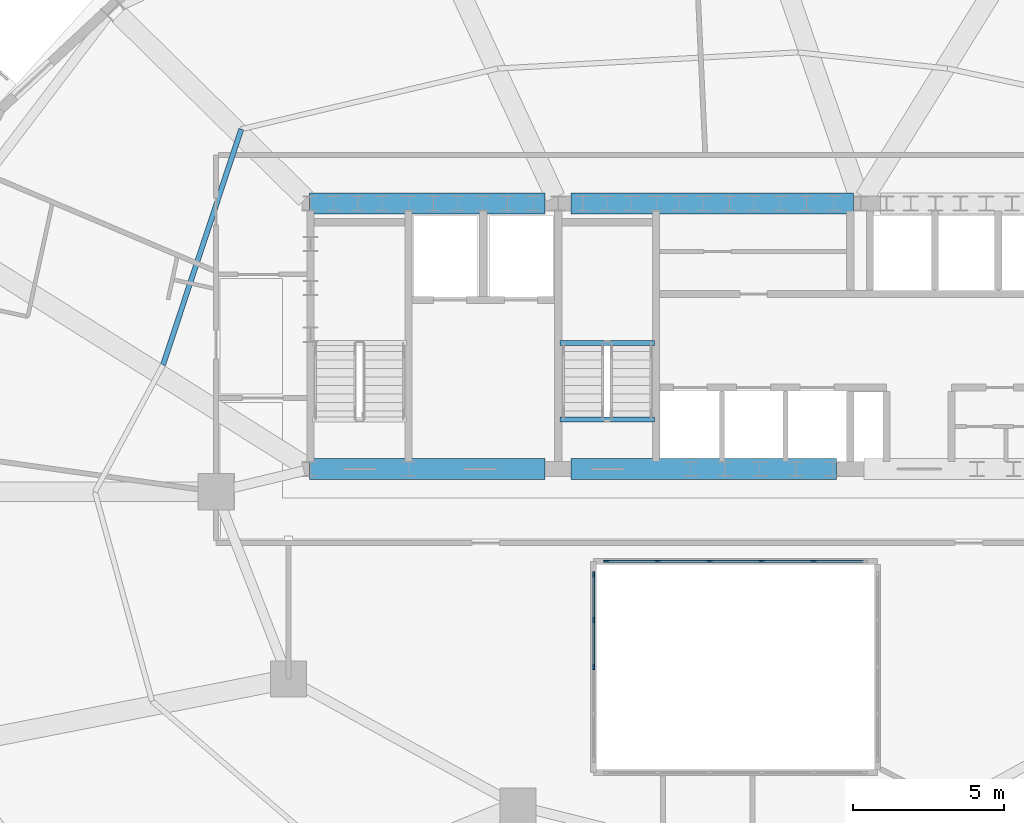
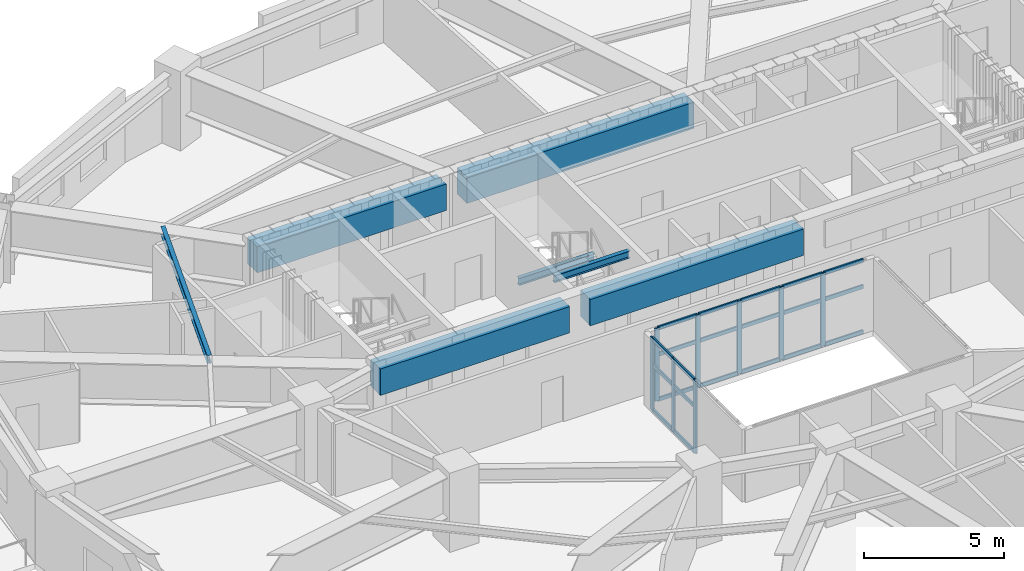
# One storey, part 3 of 13: 29 members, 7 beams, 2 elements without a shape of their own.
"""IFC4 building model written with IfcOpenShell, lengths in metres."""

from ifc_helpers import new_model, si_unit, direction, frame, origin, origin_2d, place, context, subcontext, project, spatial, rectangle, i_section, extrude, material, material_profile, profile_set, type_object, element, aggregate, save


model = new_model("IFC4")

# Units and contexts
model_context = context("Model", 3, precision=1e-05, world=origin(), true_north=direction((0.0, 1.0)))
body_context = subcontext(model_context, "Body", "Model", "MODEL_VIEW")
ifc_project = project(units=[si_unit("LENGTHUNIT", "METRE"), si_unit("AREAUNIT", "SQUARE_METRE"), si_unit("VOLUMEUNIT", "CUBIC_METRE"), si_unit("PLANEANGLEUNIT", "RADIAN"), si_unit("MASSUNIT", "GRAM", prefix="KILO")], contexts=[model_context])

# Site, building, storey
site_placement = place(None, origin())
site = spatial("IfcSite", under=ifc_project, at=site_placement, CompositionType="ELEMENT")
building_placement = place(site_placement, origin())
building = spatial("IfcBuilding", under=site, at=building_placement, Name="Haldorwick Loom Tower", CompositionType="ELEMENT")
storey_placement = place(building_placement, frame((0.0, 0.0, 127.699951171875)))
storey = spatial("IfcBuildingStorey", under=building, at=storey_placement, Name="L34", CompositionType="ELEMENT", Elevation=127.699951171875)

# Curtain wall, members
ifc_material_1 = material(Name="Thermally Broken Anodized Aluminium Curtain Wall Framing", Category="aluminium")
curtain_wall_type = type_object("IfcCurtainWallType", Name="ARC-CW-03", PredefinedType="NOTDEFINED", material=ifc_material_1)
curtain_wall_1_placement = place(storey_placement, origin())
curtain_wall_1 = element("IfcCurtainWall", 1, at=curtain_wall_1_placement, inside=storey, type_object=curtain_wall_type, Name="L34 Atrium Glazed Screen N", PredefinedType="NOTDEFINED")
ifc_material_profile_1 = material_profile(ifc_material_1, rectangle(XDim=0.06591796875, YDim=0.18505859375, at=origin_2d()), Name="ALU_MUL_66X185", Category="aluminium")
ifc_profile_set_1 = profile_set([ifc_material_profile_1], Name="Thermally Broken Anodized Aluminium Curtain Wall Framing")
member_type_1 = type_object("IfcMemberType", Name="ARC-CWM-03", PredefinedType="MULLION", material=ifc_profile_set_1)
member_1_placement = place(storey_placement, frame((31.73291015625, 23.699951171875, 0.0), z_axis=(0.0, 0.0, 1.0), x_axis=(0.0, 1.0, 0.0)))
member_1 = element("IfcMember", 2, at=member_1_placement, type_object=member_type_1, Name="CW-03 mullion 1", PredefinedType="MULLION", context=body_context, shape_type="SweptSolid", body=[
    extrude(rectangle(XDim=0.06591796875, YDim=0.18505859375, at=origin_2d()), origin(), (0.0, 0.0, 1.0), 3.170166015625),
])
member_2_placement = place(storey_placement, frame((33.419921875, 23.699951171875, 0.0), z_axis=(0.0, 0.0, 1.0), x_axis=(0.0, 1.0, 0.0)))
member_2 = element("IfcMember", 3, at=member_2_placement, type_object=member_type_1, Name="CW-03 mullion 2", PredefinedType="MULLION", context=body_context, shape_type="SweptSolid", body=[
    extrude(rectangle(XDim=0.06591796875, YDim=0.18505859375, at=origin_2d()), origin(), (0.0, 0.0, 1.0), 3.170166015625),
])
member_3_placement = place(storey_placement, frame((35.139892578125, 23.699951171875, 0.0), z_axis=(0.0, 0.0, 1.0), x_axis=(0.0, 1.0, 0.0)))
member_3 = element("IfcMember", 4, at=member_3_placement, type_object=member_type_1, Name="CW-03 mullion 3", PredefinedType="MULLION", context=body_context, shape_type="SweptSolid", body=[
    extrude(rectangle(XDim=0.06591796875, YDim=0.18505859375, at=origin_2d()), origin(), (0.0, 0.0, 1.0), 3.170166015625),
])
member_4_placement = place(storey_placement, frame((36.860107421875, 23.699951171875, 0.0), z_axis=(0.0, 0.0, 1.0), x_axis=(0.0, 1.0, 0.0)))
member_4 = element("IfcMember", 5, at=member_4_placement, type_object=member_type_1, Name="CW-03 mullion 4", PredefinedType="MULLION", context=body_context, shape_type="SweptSolid", body=[
    extrude(rectangle(XDim=0.06591796875, YDim=0.18505859375, at=origin_2d()), origin(), (0.0, 0.0, 1.0), 3.170166015625),
])
member_5_placement = place(storey_placement, frame((38.580078125, 23.699951171875, 0.0), z_axis=(0.0, 0.0, 1.0), x_axis=(0.0, 1.0, 0.0)))
member_5 = element("IfcMember", 6, at=member_5_placement, type_object=member_type_1, Name="CW-03 mullion 5", PredefinedType="MULLION", context=body_context, shape_type="SweptSolid", body=[
    extrude(rectangle(XDim=0.06591796875, YDim=0.18505859375, at=origin_2d()), origin(), (0.0, 0.0, 1.0), 3.170166015625),
])

curtain_wall_2_placement = place(storey_placement, origin())
curtain_wall_2 = element("IfcCurtainWall", 7, at=curtain_wall_2_placement, inside=storey, type_object=curtain_wall_type, Name="L34 Atrium Glazed Screen W", PredefinedType="NOTDEFINED")
member_6_placement = place(storey_placement, frame((31.300048828125, 20.199951171875, 0.0), z_axis=(0.0, 0.0, 1.0), x_axis=(-1.0, 0.0, 0.0)))
member_6 = element("IfcMember", 8, at=member_6_placement, type_object=member_type_1, Name="CW-03 mullion 3", PredefinedType="MULLION", context=body_context, shape_type="SweptSolid", body=[
    extrude(rectangle(XDim=0.06591796875, YDim=0.18505859375, at=origin_2d()), origin(), (0.0, 0.0, 1.0), 3.170166015625),
])
member_7_placement = place(storey_placement, frame((31.300048828125, 21.75, 0.0), z_axis=(0.0, 0.0, 1.0), x_axis=(-1.0, 0.0, 0.0)))
member_7 = element("IfcMember", 9, at=member_7_placement, type_object=member_type_1, Name="CW-03 mullion 4", PredefinedType="MULLION", context=body_context, shape_type="SweptSolid", body=[
    extrude(rectangle(XDim=0.06591796875, YDim=0.18505859375, at=origin_2d()), origin(), (0.0, 0.0, 1.0), 3.170166015625),
])
member_8_placement = place(storey_placement, frame((31.300048828125, 23.26708984375, 0.0), z_axis=(0.0, 0.0, 1.0), x_axis=(-1.0, 0.0, 0.0)))
member_8 = element("IfcMember", 10, at=member_8_placement, type_object=member_type_1, Name="CW-03 mullion 5", PredefinedType="MULLION", context=body_context, shape_type="SweptSolid", body=[
    extrude(rectangle(XDim=0.06591796875, YDim=0.18505859375, at=origin_2d()), origin(), (0.0, 0.0, 1.0), 3.170166015625),
])

# Member
ifc_material_profile_2 = material_profile(ifc_material_1, rectangle(XDim=0.06591796875, YDim=0.1650390625, at=origin_2d()), Name="ALU_TRN_66X165", Category="aluminium")
ifc_profile_set_2 = profile_set([ifc_material_profile_2], Name="Thermally Broken Anodized Aluminium Curtain Wall Framing")
member_type_2 = type_object("IfcMemberType", Name="ARC-CWT-03", PredefinedType="USERDEFINED", material=ifc_profile_set_2)
member_9_placement = place(storey_placement, frame((31.76611328125, 23.699951171875, 0.032958984375), z_axis=(1.0, 0.0, 0.0), x_axis=(0.0, 1.0, 0.0)))
member_9 = element("IfcMember", 11, at=member_9_placement, type_object=member_type_2, Name="CW-03 transom 1.1", ObjectType="TRANSOM", PredefinedType="USERDEFINED", context=body_context, shape_type="SweptSolid", body=[
    extrude(rectangle(XDim=0.06591796875, YDim=0.1650390625, at=origin_2d()), origin(), (0.0, 0.0, 1.0), 1.620849609375),
])

member_10_placement = place(storey_placement, frame((31.76611328125, 23.699951171875, 2.0), z_axis=(1.0, 0.0, 0.0), x_axis=(0.0, 1.0, 0.0)))
member_10 = element("IfcMember", 12, at=member_10_placement, type_object=member_type_2, Name="CW-03 transom 1.2", ObjectType="TRANSOM", PredefinedType="USERDEFINED", context=body_context, shape_type="SweptSolid", body=[
    extrude(rectangle(XDim=0.06591796875, YDim=0.1650390625, at=origin_2d()), origin(), (0.0, 0.0, 1.0), 1.620849609375),
])

member_11_placement = place(storey_placement, frame((31.76611328125, 23.699951171875, 3.136962890625), z_axis=(1.0, 0.0, 0.0), x_axis=(0.0, 1.0, 0.0)))
member_11 = element("IfcMember", 13, at=member_11_placement, type_object=member_type_2, Name="CW-03 transom 1.3", ObjectType="TRANSOM", PredefinedType="USERDEFINED", context=body_context, shape_type="SweptSolid", body=[
    extrude(rectangle(XDim=0.06591796875, YDim=0.1650390625, at=origin_2d()), origin(), (0.0, 0.0, 1.0), 1.620849609375),
])

member_12_placement = place(storey_placement, frame((33.452880859375, 23.699951171875, 0.032958984375), z_axis=(1.0, 0.0, 0.0), x_axis=(0.0, 1.0, 0.0)))
member_12 = element("IfcMember", 14, at=member_12_placement, type_object=member_type_2, Name="CW-03 transom 2.1", ObjectType="TRANSOM", PredefinedType="USERDEFINED", context=body_context, shape_type="SweptSolid", body=[
    extrude(rectangle(XDim=0.06591796875, YDim=0.1650390625, at=origin_2d()), origin(), (0.0, 0.0, 1.0), 1.654052734375),
])

member_13_placement = place(storey_placement, frame((33.452880859375, 23.699951171875, 2.0), z_axis=(1.0, 0.0, 0.0), x_axis=(0.0, 1.0, 0.0)))
member_13 = element("IfcMember", 15, at=member_13_placement, type_object=member_type_2, Name="CW-03 transom 2.2", ObjectType="TRANSOM", PredefinedType="USERDEFINED", context=body_context, shape_type="SweptSolid", body=[
    extrude(rectangle(XDim=0.06591796875, YDim=0.1650390625, at=origin_2d()), origin(), (0.0, 0.0, 1.0), 1.654052734375),
])

member_14_placement = place(storey_placement, frame((33.452880859375, 23.699951171875, 3.136962890625), z_axis=(1.0, 0.0, 0.0), x_axis=(0.0, 1.0, 0.0)))
member_14 = element("IfcMember", 16, at=member_14_placement, type_object=member_type_2, Name="CW-03 transom 2.3", ObjectType="TRANSOM", PredefinedType="USERDEFINED", context=body_context, shape_type="SweptSolid", body=[
    extrude(rectangle(XDim=0.06591796875, YDim=0.1650390625, at=origin_2d()), origin(), (0.0, 0.0, 1.0), 1.654052734375),
])

member_15_placement = place(storey_placement, frame((35.173095703125, 23.699951171875, 0.032958984375), z_axis=(1.0, 0.0, 0.0), x_axis=(0.0, 1.0, 0.0)))
member_15 = element("IfcMember", 17, at=member_15_placement, type_object=member_type_2, Name="CW-03 transom 3.1", ObjectType="TRANSOM", PredefinedType="USERDEFINED", context=body_context, shape_type="SweptSolid", body=[
    extrude(rectangle(XDim=0.06591796875, YDim=0.1650390625, at=origin_2d()), origin(), (0.0, 0.0, 1.0), 1.65380859375),
])

member_16_placement = place(storey_placement, frame((35.173095703125, 23.699951171875, 2.0), z_axis=(1.0, 0.0, 0.0), x_axis=(0.0, 1.0, 0.0)))
member_16 = element("IfcMember", 18, at=member_16_placement, type_object=member_type_2, Name="CW-03 transom 3.2", ObjectType="TRANSOM", PredefinedType="USERDEFINED", context=body_context, shape_type="SweptSolid", body=[
    extrude(rectangle(XDim=0.06591796875, YDim=0.1650390625, at=origin_2d()), origin(), (0.0, 0.0, 1.0), 1.65380859375),
])

member_17_placement = place(storey_placement, frame((35.173095703125, 23.699951171875, 3.136962890625), z_axis=(1.0, 0.0, 0.0), x_axis=(0.0, 1.0, 0.0)))
member_17 = element("IfcMember", 19, at=member_17_placement, type_object=member_type_2, Name="CW-03 transom 3.3", ObjectType="TRANSOM", PredefinedType="USERDEFINED", context=body_context, shape_type="SweptSolid", body=[
    extrude(rectangle(XDim=0.06591796875, YDim=0.1650390625, at=origin_2d()), origin(), (0.0, 0.0, 1.0), 1.65380859375),
])

member_18_placement = place(storey_placement, frame((36.89306640625, 23.699951171875, 0.032958984375), z_axis=(1.0, 0.0, 0.0), x_axis=(0.0, 1.0, 0.0)))
member_18 = element("IfcMember", 20, at=member_18_placement, type_object=member_type_2, Name="CW-03 transom 4.1", ObjectType="TRANSOM", PredefinedType="USERDEFINED", context=body_context, shape_type="SweptSolid", body=[
    extrude(rectangle(XDim=0.06591796875, YDim=0.1650390625, at=origin_2d()), origin(), (0.0, 0.0, 1.0), 1.654052734375),
])

member_19_placement = place(storey_placement, frame((36.89306640625, 23.699951171875, 2.0), z_axis=(1.0, 0.0, 0.0), x_axis=(0.0, 1.0, 0.0)))
member_19 = element("IfcMember", 21, at=member_19_placement, type_object=member_type_2, Name="CW-03 transom 4.2", ObjectType="TRANSOM", PredefinedType="USERDEFINED", context=body_context, shape_type="SweptSolid", body=[
    extrude(rectangle(XDim=0.06591796875, YDim=0.1650390625, at=origin_2d()), origin(), (0.0, 0.0, 1.0), 1.654052734375),
])

member_20_placement = place(storey_placement, frame((36.89306640625, 23.699951171875, 3.136962890625), z_axis=(1.0, 0.0, 0.0), x_axis=(0.0, 1.0, 0.0)))
member_20 = element("IfcMember", 22, at=member_20_placement, type_object=member_type_2, Name="CW-03 transom 4.3", ObjectType="TRANSOM", PredefinedType="USERDEFINED", context=body_context, shape_type="SweptSolid", body=[
    extrude(rectangle(XDim=0.06591796875, YDim=0.1650390625, at=origin_2d()), origin(), (0.0, 0.0, 1.0), 1.654052734375),
])

member_21_placement = place(storey_placement, frame((38.613037109375, 23.699951171875, 0.032958984375), z_axis=(1.0, 0.0, 0.0), x_axis=(0.0, 1.0, 0.0)))
member_21 = element("IfcMember", 23, at=member_21_placement, type_object=member_type_2, Name="CW-03 transom 5.1", ObjectType="TRANSOM", PredefinedType="USERDEFINED", context=body_context, shape_type="SweptSolid", body=[
    extrude(rectangle(XDim=0.06591796875, YDim=0.1650390625, at=origin_2d()), origin(), (0.0, 0.0, 1.0), 1.620849609375),
])

member_22_placement = place(storey_placement, frame((38.613037109375, 23.699951171875, 2.0), z_axis=(1.0, 0.0, 0.0), x_axis=(0.0, 1.0, 0.0)))
member_22 = element("IfcMember", 24, at=member_22_placement, type_object=member_type_2, Name="CW-03 transom 5.2", ObjectType="TRANSOM", PredefinedType="USERDEFINED", context=body_context, shape_type="SweptSolid", body=[
    extrude(rectangle(XDim=0.06591796875, YDim=0.1650390625, at=origin_2d()), origin(), (0.0, 0.0, 1.0), 1.620849609375),
])

member_23_placement = place(storey_placement, frame((38.613037109375, 23.699951171875, 3.136962890625), z_axis=(1.0, 0.0, 0.0), x_axis=(0.0, 1.0, 0.0)))
member_23 = element("IfcMember", 25, at=member_23_placement, type_object=member_type_2, Name="CW-03 transom 5.3", ObjectType="TRANSOM", PredefinedType="USERDEFINED", context=body_context, shape_type="SweptSolid", body=[
    extrude(rectangle(XDim=0.06591796875, YDim=0.1650390625, at=origin_2d()), origin(), (0.0, 0.0, 1.0), 1.620849609375),
])

aggregate(curtain_wall_1, [member_1, member_2, member_3, member_4, member_5, member_9, member_10, member_11, member_12, member_13, member_14, member_15, member_16, member_17, member_18, member_19, member_20, member_21, member_22, member_23])

member_24_placement = place(storey_placement, frame((31.300048828125, 20.23291015625, 0.032958984375), z_axis=(0.0, 1.0, 0.0), x_axis=(-1.0, 0.0, 0.0)))
member_24 = element("IfcMember", 26, at=member_24_placement, type_object=member_type_2, Name="CW-03 transom 3.1", ObjectType="TRANSOM", PredefinedType="USERDEFINED", context=body_context, shape_type="SweptSolid", body=[
    extrude(rectangle(XDim=0.06591796875, YDim=0.1650390625, at=origin_2d()), origin(), (0.0, 0.0, 1.0), 1.484130859375),
])

member_25_placement = place(storey_placement, frame((31.300048828125, 20.23291015625, 2.0), z_axis=(0.0, 1.0, 0.0), x_axis=(-1.0, 0.0, 0.0)))
member_25 = element("IfcMember", 27, at=member_25_placement, type_object=member_type_2, Name="CW-03 transom 3.2", ObjectType="TRANSOM", PredefinedType="USERDEFINED", context=body_context, shape_type="SweptSolid", body=[
    extrude(rectangle(XDim=0.06591796875, YDim=0.1650390625, at=origin_2d()), origin(), (0.0, 0.0, 1.0), 1.484130859375),
])

member_26_placement = place(storey_placement, frame((31.300048828125, 20.23291015625, 3.136962890625), z_axis=(0.0, 1.0, 0.0), x_axis=(-1.0, 0.0, 0.0)))
member_26 = element("IfcMember", 28, at=member_26_placement, type_object=member_type_2, Name="CW-03 transom 3.3", ObjectType="TRANSOM", PredefinedType="USERDEFINED", context=body_context, shape_type="SweptSolid", body=[
    extrude(rectangle(XDim=0.06591796875, YDim=0.1650390625, at=origin_2d()), origin(), (0.0, 0.0, 1.0), 1.484130859375),
])

member_27_placement = place(storey_placement, frame((31.300048828125, 21.782958984375, 0.032958984375), z_axis=(0.0, 1.0, 0.0), x_axis=(-1.0, 0.0, 0.0)))
member_27 = element("IfcMember", 29, at=member_27_placement, type_object=member_type_2, Name="CW-03 transom 4.1", ObjectType="TRANSOM", PredefinedType="USERDEFINED", context=body_context, shape_type="SweptSolid", body=[
    extrude(rectangle(XDim=0.06591796875, YDim=0.1650390625, at=origin_2d()), origin(), (0.0, 0.0, 1.0), 1.450927734375),
])

member_28_placement = place(storey_placement, frame((31.300048828125, 21.782958984375, 2.0), z_axis=(0.0, 1.0, 0.0), x_axis=(-1.0, 0.0, 0.0)))
member_28 = element("IfcMember", 30, at=member_28_placement, type_object=member_type_2, Name="CW-03 transom 4.2", ObjectType="TRANSOM", PredefinedType="USERDEFINED", context=body_context, shape_type="SweptSolid", body=[
    extrude(rectangle(XDim=0.06591796875, YDim=0.1650390625, at=origin_2d()), origin(), (0.0, 0.0, 1.0), 1.450927734375),
])

member_29_placement = place(storey_placement, frame((31.300048828125, 21.782958984375, 3.136962890625), z_axis=(0.0, 1.0, 0.0), x_axis=(-1.0, 0.0, 0.0)))
member_29 = element("IfcMember", 31, at=member_29_placement, type_object=member_type_2, Name="CW-03 transom 4.3", ObjectType="TRANSOM", PredefinedType="USERDEFINED", context=body_context, shape_type="SweptSolid", body=[
    extrude(rectangle(XDim=0.06591796875, YDim=0.1650390625, at=origin_2d()), origin(), (0.0, 0.0, 1.0), 1.450927734375),
])

aggregate(curtain_wall_2, [member_6, member_7, member_8, member_24, member_25, member_26, member_27, member_28, member_29])

# Beams
ifc_material_2 = material(Name="Concrete C60 (60 MPa)", Category="concrete")
ifc_material_profile_3 = material_profile(ifc_material_2, rectangle(XDim=0.699951171875, YDim=1.14990234375, at=origin_2d()), Name="RC700X1150", Category="concrete")
ifc_profile_set_3 = profile_set([ifc_material_profile_3], Name="Concrete C60 (60 MPa)")
beam_type_1 = type_object("IfcBeamType", Name="STR-BM-CB1150", PredefinedType="LINTEL", material=ifc_profile_set_3)
beam_1_placement = place(storey_placement, frame((21.89990234375, 35.550048828125, 2.594970703125), z_axis=(1.0, 0.0, 0.0), x_axis=(0.0, 1.0, 0.0)))
element("IfcBeam", 32, at=beam_1_placement, inside=storey, type_object=beam_type_1, Name="L34 Core Coupling Beam CB-N1", PredefinedType="LINTEL", context=body_context, shape_type="SweptSolid", body=[
    extrude(rectangle(XDim=0.699951171875, YDim=1.14990234375, at=origin_2d()), origin(), (0.0, 0.0, 1.0), 7.800048828125),
])
beam_2_placement = place(storey_placement, frame((30.550048828125, 35.550048828125, 2.594970703125), z_axis=(1.0, 0.0, 0.0), x_axis=(0.0, 1.0, 0.0)))
element("IfcBeam", 33, at=beam_2_placement, inside=storey, type_object=beam_type_1, Name="L34 Core Coupling Beam CB-N2", PredefinedType="LINTEL", context=body_context, shape_type="SweptSolid", body=[
    extrude(rectangle(XDim=0.699951171875, YDim=1.14990234375, at=origin_2d()), origin(), (0.0, 0.0, 1.0), 9.349853515625),
])
beam_3_placement = place(storey_placement, frame((21.89990234375, 26.75, 2.594970703125), z_axis=(1.0, 0.0, 0.0), x_axis=(0.0, 1.0, 0.0)))
element("IfcBeam", 34, at=beam_3_placement, inside=storey, type_object=beam_type_1, Name="L34 Core Coupling Beam CB-S1", PredefinedType="LINTEL", context=body_context, shape_type="SweptSolid", body=[
    extrude(rectangle(XDim=0.699951171875, YDim=1.14990234375, at=origin_2d()), origin(), (0.0, 0.0, 1.0), 7.800048828125),
])
beam_4_placement = place(storey_placement, frame((30.550048828125, 26.75, 2.594970703125), z_axis=(1.0, 0.0, 0.0), x_axis=(0.0, 1.0, 0.0)))
element("IfcBeam", 35, at=beam_4_placement, inside=storey, type_object=beam_type_1, Name="L34 Core Coupling Beam CB-S2", PredefinedType="LINTEL", context=body_context, shape_type="SweptSolid", body=[
    extrude(rectangle(XDim=0.699951171875, YDim=1.14990234375, at=origin_2d()), origin(), (0.0, 0.0, 1.0), 8.800048828125),
])
ifc_material_3 = material(Name="Steel CSA G40.21 350W", Category="steel")
ifc_material_profile_4 = material_profile(ifc_material_3, i_section(OverallWidth=0.172119140625, OverallDepth=0.35791015625, WebThickness=0.0078125, FlangeThickness=0.01318359375, at=origin_2d()), Name="W360X57", Category="steel")
ifc_profile_set_4 = profile_set([ifc_material_profile_4], Name="Steel CSA G40.21 350W")
beam_type_2 = type_object("IfcBeamType", Name="STR-BM-J360", PredefinedType="JOIST", material=ifc_profile_set_4)
beam_5_placement = place(storey_placement, frame((19.63720703125, 38.007080078125, 2.990966796875), z_axis=(-0.314980632705, -0.949098098734, 0.0), x_axis=(0.949098098734, -0.314980632705, 0.0)))
element("IfcBeam", 36, at=beam_5_placement, inside=storey, type_object=beam_type_2, Name="L34 Mid-Bay Secondary Joist 7", PredefinedType="JOIST", context=body_context, shape_type="SweptSolid", body=[
    extrude(i_section(OverallWidth=0.172119140625, OverallDepth=0.35791015625, WebThickness=0.0078125, FlangeThickness=0.01318359375, at=origin_2d()), origin(), (0.0, 0.0, 1.0), 8.223876953125),
])
ifc_material_profile_5 = material_profile(ifc_material_3, i_section(OverallWidth=0.166015625, OverallDepth=0.31298828125, WebThickness=0.006591796875, FlangeThickness=0.01123046875, at=origin_2d()), Name="W310X45", Category="steel")
ifc_profile_set_5 = profile_set([ifc_material_profile_5], Name="Steel CSA G40.21 350W")
beam_type_3 = type_object("IfcBeamType", Name="STR-BM-STRM", PredefinedType="BEAM", material=ifc_profile_set_5)
for number, where, z_axis, x_axis, name in (
    (37, (30.18994140625, 28.39990234375, 3.013427734375), (1.0, 0.0, 0.0), (0.0, 1.0, 0.0), "L34 Stair ST-03 Landing Edge Trimmer"),
    (38, (30.18994140625, 30.919921875, 1.36865234375), (1.0, 0.0, 0.0), (0.0, 1.0, 0.0), "L34 Stair ST-03 Half-Landing Trimmer 1"),
):
    element("IfcBeam", number, at=place(storey_placement, frame(where, z_axis=z_axis, x_axis=x_axis)), inside=storey, type_object=beam_type_3, Name=name, PredefinedType="BEAM", context=body_context, shape_type="SweptSolid", body=[
        extrude(i_section(OverallWidth=0.166015625, OverallDepth=0.31298828125, WebThickness=0.006591796875, FlangeThickness=0.01123046875, at=origin_2d()), origin(), (0.0, 0.0, 1.0), 3.1201171875),
    ])

save(model, "model.ifc")
